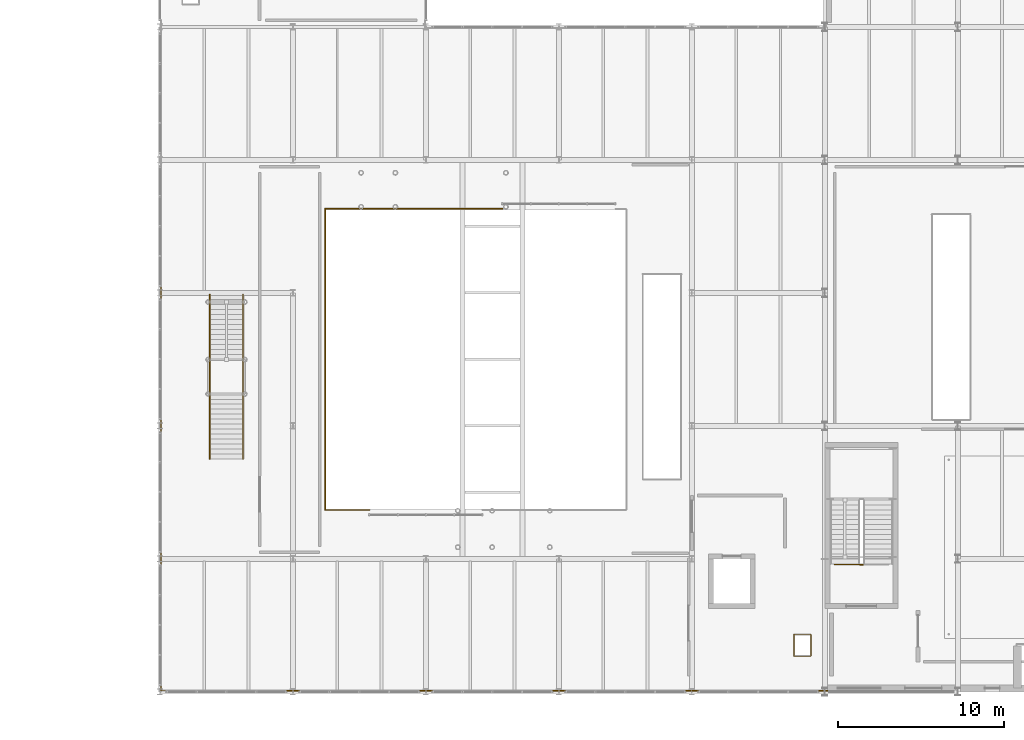
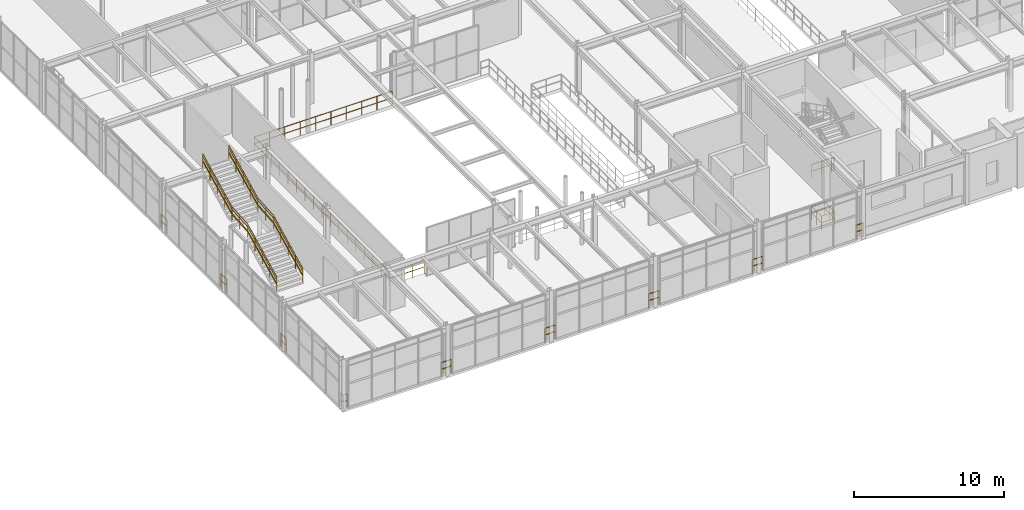
# One storey, part 112 of 122: 18 railings.
"""IFC4 building model written with IfcOpenShell, lengths in metres."""

from ifc_helpers import new_model, si_unit, direction, frame, origin, origin_2d, place, context, subcontext, project, spatial, circle, extrude, material, type_object, element, save


model = new_model("IFC4")

# Units and contexts
model_context = context("Model", 3, precision=1e-05, world=origin(), true_north=direction((0.0, 1.0)))
body_context = subcontext(model_context, "Body", "Model", "MODEL_VIEW")
ifc_project = project(units=[si_unit("LENGTHUNIT", "METRE"), si_unit("AREAUNIT", "SQUARE_METRE"), si_unit("VOLUMEUNIT", "CUBIC_METRE"), si_unit("PLANEANGLEUNIT", "RADIAN"), si_unit("MASSUNIT", "GRAM", prefix="KILO")], contexts=[model_context])

# Site, building, storey
site_placement = place(None, origin())
site = spatial("IfcSite", under=ifc_project, at=site_placement, CompositionType="ELEMENT")
building_placement = place(site_placement, origin())
building = spatial("IfcBuilding", under=site, at=building_placement, Name="Sundkrona Museum", CompositionType="ELEMENT")
storey_placement = place(building_placement, frame((0.0, 0.0, 5.39990234375)))
storey = spatial("IfcBuildingStorey", under=building, at=storey_placement, Name="L01", CompositionType="ELEMENT", Elevation=5.39990234375)

# Railings
ifc_material_1 = material(Name="Painted Steel S355J2 and Laminated Glass Balustrade", Category="steel")
railing_type_1 = type_object("IfcRailingType", Name="RL-GUARD-1100", PredefinedType="BALUSTRADE", material=ifc_material_1)
railing_1_placement = place(storey_placement, frame((122.300048828125, 7.64990234375, 0.0)))
element("IfcRailing", 1, at=railing_1_placement, inside=storey, type_object=railing_type_1, Name="L01 ST-2 stair guard 4", PredefinedType="BALUSTRADE", context=body_context, shape_type="SweptSolid", body=[
    extrude(circle(Radius=0.02392578125, at=origin_2d()), frame((0.0, 0.0, 1.076171875), z_axis=(-1.0, 0.0, 0.0), x_axis=(0.0, -1.0, 0.0)), (0.0, 0.0, 1.0), 0.199951171875),
    extrude(circle(Radius=0.02392578125, at=origin_2d()), frame((0.0, 0.0, 0.550048828125), z_axis=(-1.0, 0.0, 0.0), x_axis=(0.0, -1.0, 0.0)), (0.0, 0.0, 1.0), 0.199951171875),
    extrude(circle(Radius=0.02099609375, at=origin_2d()), origin(), (0.0, 0.0, 1.0), 1.052001953125),
    extrude(circle(Radius=0.02099609375, at=origin_2d()), frame((-0.199951171875, 0.0, 0.0)), (0.0, 0.0, 1.0), 1.052001953125),
])
railing_2_placement = place(storey_placement, frame((83.0, 14.0, 0.150146484375)))
element("IfcRailing", 2, at=railing_2_placement, inside=storey, type_object=railing_type_1, Name="FS-2 Feature Stair Balustrade L", PredefinedType="BALUSTRADE", context=body_context, shape_type="SweptSolid", body=[
    extrude(circle(Radius=0.02392578125, at=origin_2d()), frame((0.0, 0.0, 1.09619140625), z_axis=(0.0, 0.894427191, 0.4472135955), x_axis=(-1.0, 0.0, 0.0)), (0.0, 0.0, 1.0), 4.360107421875),
    extrude(circle(Radius=0.02392578125, at=origin_2d()), frame((0.0, 0.0, 0.56005859375), z_axis=(0.0, 0.894427191, 0.4472135955), x_axis=(-1.0, 0.0, 0.0)), (0.0, 0.0, 1.0), 4.360107421875),
    extrude(circle(Radius=0.02392578125, at=origin_2d()), frame((0.0, 3.89990234375, 3.0458984375), z_axis=(0.0, 0.997462230291, 0.071197606301), x_axis=(-1.0, 0.0, 0.0)), (0.0, 0.0, 1.0), 2.10546875),
    extrude(circle(Radius=0.02392578125, at=origin_2d()), frame((0.0, 3.89990234375, 2.510009765625), z_axis=(0.0, 0.997462230291, 0.071197606301), x_axis=(-1.0, 0.0, 0.0)), (0.0, 0.0, 1.0), 2.10546875),
    extrude(circle(Radius=0.02392578125, at=origin_2d()), frame((0.0, 6.0, 3.19580078125), z_axis=(0.0, 0.894404793364, 0.447258387967), x_axis=(-1.0, 0.0, 0.0)), (0.0, 0.0, 1.0), 4.3603515625),
    extrude(circle(Radius=0.02392578125, at=origin_2d()), frame((0.0, 6.0, 2.659912109375), z_axis=(0.0, 0.894404793364, 0.447258387967), x_axis=(-1.0, 0.0, 0.0)), (0.0, 0.0, 1.0), 4.3603515625),
    extrude(circle(Radius=0.02099609375, at=origin_2d()), origin(), (0.0, 0.0, 1.0), 1.072021484375),
    extrude(circle(Radius=0.02099609375, at=origin_2d()), frame((0.0, 0.97509765625, 0.487548828125)), (0.0, 0.0, 1.0), 1.072021484375),
    extrude(circle(Radius=0.02099609375, at=origin_2d()), frame((0.0, 1.949951171875, 0.97509765625)), (0.0, 0.0, 1.0), 1.072021484375),
    extrude(circle(Radius=0.02099609375, at=origin_2d()), frame((0.0, 2.9248046875, 1.46240234375)), (0.0, 0.0, 1.0), 1.072021484375),
    extrude(circle(Radius=0.02099609375, at=origin_2d()), frame((0.0, 3.89990234375, 1.949951171875)), (0.0, 0.0, 1.0), 1.072021484375),
    extrude(circle(Radius=0.02099609375, at=origin_2d()), frame((0.0, 4.949951171875, 2.02490234375)), (0.0, 0.0, 1.0), 1.072021484375),
    extrude(circle(Radius=0.02099609375, at=origin_2d()), frame((0.0, 6.0, 2.099853515625)), (0.0, 0.0, 1.0), 1.072021484375),
    extrude(circle(Radius=0.02099609375, at=origin_2d()), frame((0.0, 6.97509765625, 2.58740234375)), (0.0, 0.0, 1.0), 1.072021484375),
    extrude(circle(Radius=0.02099609375, at=origin_2d()), frame((0.0, 7.949951171875, 3.074951171875)), (0.0, 0.0, 1.0), 1.072021484375),
    extrude(circle(Radius=0.02099609375, at=origin_2d()), frame((0.0, 8.9248046875, 3.5625)), (0.0, 0.0, 1.0), 1.072021484375),
    extrude(circle(Radius=0.02099609375, at=origin_2d()), frame((0.0, 9.89990234375, 4.050048828125)), (0.0, 0.0, 1.0), 1.072021484375),
])
railing_3_placement = place(storey_placement, frame((85.0, 14.0, 0.150146484375)))
element("IfcRailing", 3, at=railing_3_placement, inside=storey, type_object=railing_type_1, Name="FS-2 Feature Stair Balustrade R", PredefinedType="BALUSTRADE", context=body_context, shape_type="SweptSolid", body=[
    extrude(circle(Radius=0.02392578125, at=origin_2d()), frame((0.0, 0.0, 1.09619140625), z_axis=(0.0, 0.894427191, 0.4472135955), x_axis=(-1.0, 0.0, 0.0)), (0.0, 0.0, 1.0), 4.360107421875),
    extrude(circle(Radius=0.02392578125, at=origin_2d()), frame((0.0, 0.0, 0.56005859375), z_axis=(0.0, 0.894427191, 0.4472135955), x_axis=(-1.0, 0.0, 0.0)), (0.0, 0.0, 1.0), 4.360107421875),
    extrude(circle(Radius=0.02392578125, at=origin_2d()), frame((0.0, 3.89990234375, 3.0458984375), z_axis=(0.0, 0.997462230291, 0.071197606301), x_axis=(-1.0, 0.0, 0.0)), (0.0, 0.0, 1.0), 2.10546875),
    extrude(circle(Radius=0.02392578125, at=origin_2d()), frame((0.0, 3.89990234375, 2.510009765625), z_axis=(0.0, 0.997462230291, 0.071197606301), x_axis=(-1.0, 0.0, 0.0)), (0.0, 0.0, 1.0), 2.10546875),
    extrude(circle(Radius=0.02392578125, at=origin_2d()), frame((0.0, 6.0, 3.19580078125), z_axis=(0.0, 0.894404793364, 0.447258387967), x_axis=(-1.0, 0.0, 0.0)), (0.0, 0.0, 1.0), 4.3603515625),
    extrude(circle(Radius=0.02392578125, at=origin_2d()), frame((0.0, 6.0, 2.659912109375), z_axis=(0.0, 0.894404793364, 0.447258387967), x_axis=(-1.0, 0.0, 0.0)), (0.0, 0.0, 1.0), 4.3603515625),
    extrude(circle(Radius=0.02099609375, at=origin_2d()), origin(), (0.0, 0.0, 1.0), 1.072021484375),
    extrude(circle(Radius=0.02099609375, at=origin_2d()), frame((0.0, 0.97509765625, 0.487548828125)), (0.0, 0.0, 1.0), 1.072021484375),
    extrude(circle(Radius=0.02099609375, at=origin_2d()), frame((0.0, 1.949951171875, 0.97509765625)), (0.0, 0.0, 1.0), 1.072021484375),
    extrude(circle(Radius=0.02099609375, at=origin_2d()), frame((0.0, 2.9248046875, 1.46240234375)), (0.0, 0.0, 1.0), 1.072021484375),
    extrude(circle(Radius=0.02099609375, at=origin_2d()), frame((0.0, 3.89990234375, 1.949951171875)), (0.0, 0.0, 1.0), 1.072021484375),
    extrude(circle(Radius=0.02099609375, at=origin_2d()), frame((0.0, 4.949951171875, 2.02490234375)), (0.0, 0.0, 1.0), 1.072021484375),
    extrude(circle(Radius=0.02099609375, at=origin_2d()), frame((0.0, 6.0, 2.099853515625)), (0.0, 0.0, 1.0), 1.072021484375),
    extrude(circle(Radius=0.02099609375, at=origin_2d()), frame((0.0, 6.97509765625, 2.58740234375)), (0.0, 0.0, 1.0), 1.072021484375),
    extrude(circle(Radius=0.02099609375, at=origin_2d()), frame((0.0, 7.949951171875, 3.074951171875)), (0.0, 0.0, 1.0), 1.072021484375),
    extrude(circle(Radius=0.02099609375, at=origin_2d()), frame((0.0, 8.9248046875, 3.5625)), (0.0, 0.0, 1.0), 1.072021484375),
    extrude(circle(Radius=0.02099609375, at=origin_2d()), frame((0.0, 9.89990234375, 4.050048828125)), (0.0, 0.0, 1.0), 1.072021484375),
])
railing_4_placement = place(storey_placement, frame((80.39990234375, 0.06005859375, 0.0)))
element("IfcRailing", 4, at=railing_4_placement, inside=storey, type_object=railing_type_1, Name="L01 Edge Protection Balustrade 025", PredefinedType="BALUSTRADE", context=body_context, shape_type="SweptSolid", body=[
    extrude(circle(Radius=0.02392578125, at=origin_2d()), frame((0.0, 0.0, 1.09619140625), z_axis=(-1.0, 0.0, 0.0), x_axis=(0.0, -1.0, 0.0)), (0.0, 0.0, 1.0), 0.33984375),
    extrude(circle(Radius=0.02392578125, at=origin_2d()), frame((0.0, 0.0, 0.56005859375), z_axis=(-1.0, 0.0, 0.0), x_axis=(0.0, -1.0, 0.0)), (0.0, 0.0, 1.0), 0.33984375),
    extrude(circle(Radius=0.02392578125, at=origin_2d()), frame((-0.33984375, 0.0, 1.09619140625), z_axis=(0.0, 1.0, 0.0), x_axis=(-1.0, 0.0, 0.0)), (0.0, 0.0, 1.0), 0.33984375),
    extrude(circle(Radius=0.02392578125, at=origin_2d()), frame((-0.33984375, 0.0, 0.56005859375), z_axis=(0.0, 1.0, 0.0), x_axis=(-1.0, 0.0, 0.0)), (0.0, 0.0, 1.0), 0.33984375),
    extrude(circle(Radius=0.02099609375, at=origin_2d()), origin(), (0.0, 0.0, 1.0), 1.072021484375),
    extrude(circle(Radius=0.02099609375, at=origin_2d()), frame((-0.33984375, 0.0, 0.0)), (0.0, 0.0, 1.0), 1.072021484375),
    extrude(circle(Radius=0.02099609375, at=origin_2d()), frame((-0.33984375, 0.33984375, 0.0)), (0.0, 0.0, 1.0), 1.072021484375),
])
for number, where, name in (
    (5, (80.06005859375, 7.60009765625, 0.0), "L01 Edge Protection Balustrade 026"),
    (6, (80.06005859375, 15.60009765625, 0.0), "L01 Edge Protection Balustrade 027"),
    (7, (80.06005859375, 23.60009765625, 0.0), "L01 Edge Protection Balustrade 028"),
):
    element("IfcRailing", number, at=place(storey_placement, frame(where)), inside=storey, type_object=railing_type_1, Name=name, PredefinedType="BALUSTRADE", context=body_context, shape_type="SweptSolid", body=[
        extrude(circle(Radius=0.02392578125, at=origin_2d()), frame((0.0, 0.0, 1.09619140625), z_axis=(0.0, 1.0, 0.0), x_axis=(-1.0, 0.0, 0.0)), (0.0, 0.0, 1.0), 0.7998046875),
        extrude(circle(Radius=0.02392578125, at=origin_2d()), frame((0.0, 0.0, 0.56005859375), z_axis=(0.0, 1.0, 0.0), x_axis=(-1.0, 0.0, 0.0)), (0.0, 0.0, 1.0), 0.7998046875),
        extrude(circle(Radius=0.02099609375, at=origin_2d()), origin(), (0.0, 0.0, 1.0), 1.072021484375),
        extrude(circle(Radius=0.02099609375, at=origin_2d()), frame((0.0, 0.7998046875, 0.0)), (0.0, 0.0, 1.0), 1.072021484375),
    ])
railing_5_placement = place(storey_placement, frame((88.39990234375, 0.06005859375, 0.0)))
element("IfcRailing", 8, at=railing_5_placement, inside=storey, type_object=railing_type_1, Name="L01 Edge Protection Balustrade 036", PredefinedType="BALUSTRADE", context=body_context, shape_type="SweptSolid", body=[
    extrude(circle(Radius=0.02392578125, at=origin_2d()), frame((0.0, 0.0, 1.09619140625), z_axis=(-1.0, 0.0, 0.0), x_axis=(0.0, -1.0, 0.0)), (0.0, 0.0, 1.0), 0.7998046875),
    extrude(circle(Radius=0.02392578125, at=origin_2d()), frame((0.0, 0.0, 0.56005859375), z_axis=(-1.0, 0.0, 0.0), x_axis=(0.0, -1.0, 0.0)), (0.0, 0.0, 1.0), 0.7998046875),
    extrude(circle(Radius=0.02099609375, at=origin_2d()), origin(), (0.0, 0.0, 1.0), 1.072021484375),
    extrude(circle(Radius=0.02099609375, at=origin_2d()), frame((-0.7998046875, 0.0, 0.0)), (0.0, 0.0, 1.0), 1.072021484375),
])
railing_6_placement = place(storey_placement, frame((89.93994140625, 29.06005859375, 0.0)))
element("IfcRailing", 9, at=railing_6_placement, inside=storey, type_object=railing_type_1, Name="L01 Edge Protection Balustrade 037", PredefinedType="BALUSTRADE", context=body_context, shape_type="SweptSolid", body=[
    extrude(circle(Radius=0.02392578125, at=origin_2d()), frame((0.0, 0.0, 1.09619140625), z_axis=(0.0, -1.0, 0.0), x_axis=(1.0, 0.0, 0.0)), (0.0, 0.0, 1.0), 18.1201171875),
    extrude(circle(Radius=0.02392578125, at=origin_2d()), frame((0.0, 0.0, 0.56005859375), z_axis=(0.0, -1.0, 0.0), x_axis=(1.0, 0.0, 0.0)), (0.0, 0.0, 1.0), 18.1201171875),
    extrude(circle(Radius=0.02392578125, at=origin_2d()), frame((0.0, -18.1201171875, 1.09619140625), z_axis=(1.0, 0.0, 0.0), x_axis=(0.0, 1.0, 0.0)), (0.0, 0.0, 1.0), 2.66015625),
    extrude(circle(Radius=0.02392578125, at=origin_2d()), frame((0.0, -18.1201171875, 0.56005859375), z_axis=(1.0, 0.0, 0.0), x_axis=(0.0, 1.0, 0.0)), (0.0, 0.0, 1.0), 2.66015625),
    extrude(circle(Radius=0.02099609375, at=origin_2d()), origin(), (0.0, 0.0, 1.0), 1.072021484375),
    extrude(circle(Radius=0.02099609375, at=origin_2d()), frame((0.0, -1.132568359375, 0.0)), (0.0, 0.0, 1.0), 1.072021484375),
    extrude(circle(Radius=0.02099609375, at=origin_2d()), frame((0.0, -2.26513671875, 0.0)), (0.0, 0.0, 1.0), 1.072021484375),
    extrude(circle(Radius=0.02099609375, at=origin_2d()), frame((0.0, -3.3974609375, 0.0)), (0.0, 0.0, 1.0), 1.072021484375),
    extrude(circle(Radius=0.02099609375, at=origin_2d()), frame((0.0, -4.530029296875, 0.0)), (0.0, 0.0, 1.0), 1.072021484375),
    extrude(circle(Radius=0.02099609375, at=origin_2d()), frame((0.0, -5.66259765625, 0.0)), (0.0, 0.0, 1.0), 1.072021484375),
    extrude(circle(Radius=0.02099609375, at=origin_2d()), frame((0.0, -6.794921875, 0.0)), (0.0, 0.0, 1.0), 1.072021484375),
    extrude(circle(Radius=0.02099609375, at=origin_2d()), frame((0.0, -7.927490234375, 0.0)), (0.0, 0.0, 1.0), 1.072021484375),
    extrude(circle(Radius=0.02099609375, at=origin_2d()), frame((0.0, -9.06005859375, 0.0)), (0.0, 0.0, 1.0), 1.072021484375),
    extrude(circle(Radius=0.02099609375, at=origin_2d()), frame((0.0, -10.192626953125, 0.0)), (0.0, 0.0, 1.0), 1.072021484375),
    extrude(circle(Radius=0.02099609375, at=origin_2d()), frame((0.0, -11.3251953125, 0.0)), (0.0, 0.0, 1.0), 1.072021484375),
    extrude(circle(Radius=0.02099609375, at=origin_2d()), frame((0.0, -12.45751953125, 0.0)), (0.0, 0.0, 1.0), 1.072021484375),
    extrude(circle(Radius=0.02099609375, at=origin_2d()), frame((0.0, -13.590087890625, 0.0)), (0.0, 0.0, 1.0), 1.072021484375),
    extrude(circle(Radius=0.02099609375, at=origin_2d()), frame((0.0, -14.72265625, 0.0)), (0.0, 0.0, 1.0), 1.072021484375),
    extrude(circle(Radius=0.02099609375, at=origin_2d()), frame((0.0, -15.85498046875, 0.0)), (0.0, 0.0, 1.0), 1.072021484375),
    extrude(circle(Radius=0.02099609375, at=origin_2d()), frame((0.0, -16.987548828125, 0.0)), (0.0, 0.0, 1.0), 1.072021484375),
    extrude(circle(Radius=0.02099609375, at=origin_2d()), frame((0.0, -18.1201171875, 0.0)), (0.0, 0.0, 1.0), 1.072021484375),
    extrude(circle(Radius=0.02099609375, at=origin_2d()), frame((0.88671875, -18.1201171875, 0.0)), (0.0, 0.0, 1.0), 1.072021484375),
    extrude(circle(Radius=0.02099609375, at=origin_2d()), frame((1.7734375, -18.1201171875, 0.0)), (0.0, 0.0, 1.0), 1.072021484375),
    extrude(circle(Radius=0.02099609375, at=origin_2d()), frame((2.66015625, -18.1201171875, 0.0)), (0.0, 0.0, 1.0), 1.072021484375),
])
railing_7_placement = place(storey_placement, frame((100.60009765625, 29.06005859375, 0.0)))
element("IfcRailing", 10, at=railing_7_placement, inside=storey, type_object=railing_type_1, Name="L01 Edge Protection Balustrade 038", PredefinedType="BALUSTRADE", context=body_context, shape_type="SweptSolid", body=[
    extrude(circle(Radius=0.02392578125, at=origin_2d()), frame((0.0, 0.0, 1.09619140625), z_axis=(-1.0, 0.0, 0.0), x_axis=(0.0, -1.0, 0.0)), (0.0, 0.0, 1.0), 10.66015625),
    extrude(circle(Radius=0.02392578125, at=origin_2d()), frame((0.0, 0.0, 0.56005859375), z_axis=(-1.0, 0.0, 0.0), x_axis=(0.0, -1.0, 0.0)), (0.0, 0.0, 1.0), 10.66015625),
    extrude(circle(Radius=0.02099609375, at=origin_2d()), origin(), (0.0, 0.0, 1.0), 1.072021484375),
    extrude(circle(Radius=0.02099609375, at=origin_2d()), frame((-1.1845703125, 0.0, 0.0)), (0.0, 0.0, 1.0), 1.072021484375),
    extrude(circle(Radius=0.02099609375, at=origin_2d()), frame((-2.368896484375, 0.0, 0.0)), (0.0, 0.0, 1.0), 1.072021484375),
    extrude(circle(Radius=0.02099609375, at=origin_2d()), frame((-3.553466796875, 0.0, 0.0)), (0.0, 0.0, 1.0), 1.072021484375),
    extrude(circle(Radius=0.02099609375, at=origin_2d()), frame((-4.73779296875, 0.0, 0.0)), (0.0, 0.0, 1.0), 1.072021484375),
    extrude(circle(Radius=0.02099609375, at=origin_2d()), frame((-5.92236328125, 0.0, 0.0)), (0.0, 0.0, 1.0), 1.072021484375),
    extrude(circle(Radius=0.02099609375, at=origin_2d()), frame((-7.106689453125, 0.0, 0.0)), (0.0, 0.0, 1.0), 1.072021484375),
    extrude(circle(Radius=0.02099609375, at=origin_2d()), frame((-8.291259765625, 0.0, 0.0)), (0.0, 0.0, 1.0), 1.072021484375),
    extrude(circle(Radius=0.02099609375, at=origin_2d()), frame((-9.4755859375, 0.0, 0.0)), (0.0, 0.0, 1.0), 1.072021484375),
    extrude(circle(Radius=0.02099609375, at=origin_2d()), frame((-10.66015625, 0.0, 0.0)), (0.0, 0.0, 1.0), 1.072021484375),
])
for number, where, name in (
    (11, (96.39990234375, 0.06005859375, 0.0), "L01 Edge Protection Balustrade 039"),
    (12, (104.39990234375, 0.06005859375, 0.0), "L01 Edge Protection Balustrade 050"),
    (13, (112.39990234375, 0.06005859375, 0.0), "L01 Edge Protection Balustrade 053"),
):
    element("IfcRailing", number, at=place(storey_placement, frame(where)), inside=storey, type_object=railing_type_1, Name=name, PredefinedType="BALUSTRADE", context=body_context, shape_type="SweptSolid", body=[
        extrude(circle(Radius=0.02392578125, at=origin_2d()), frame((0.0, 0.0, 1.09619140625), z_axis=(-1.0, 0.0, 0.0), x_axis=(0.0, -1.0, 0.0)), (0.0, 0.0, 1.0), 0.7998046875),
        extrude(circle(Radius=0.02392578125, at=origin_2d()), frame((0.0, 0.0, 0.56005859375), z_axis=(-1.0, 0.0, 0.0), x_axis=(0.0, -1.0, 0.0)), (0.0, 0.0, 1.0), 0.7998046875),
        extrude(circle(Radius=0.02099609375, at=origin_2d()), origin(), (0.0, 0.0, 1.0), 1.072021484375),
        extrude(circle(Radius=0.02099609375, at=origin_2d()), frame((-0.7998046875, 0.0, 0.0)), (0.0, 0.0, 1.0), 1.072021484375),
    ])
railing_8_placement = place(storey_placement, frame((118.139892578125, 3.4599609375, 0.0)))
element("IfcRailing", 14, at=railing_8_placement, inside=storey, type_object=railing_type_1, Name="L01 Edge Protection Balustrade 056", PredefinedType="BALUSTRADE", context=body_context, shape_type="SweptSolid", body=[
    extrude(circle(Radius=0.02392578125, at=origin_2d()), frame((0.0, 0.0, 1.09619140625), z_axis=(0.0, -1.0, 0.0), x_axis=(1.0, 0.0, 0.0)), (0.0, 0.0, 1.0), 1.320068359375),
    extrude(circle(Radius=0.02392578125, at=origin_2d()), frame((0.0, 0.0, 0.56005859375), z_axis=(0.0, -1.0, 0.0), x_axis=(1.0, 0.0, 0.0)), (0.0, 0.0, 1.0), 1.320068359375),
    extrude(circle(Radius=0.02392578125, at=origin_2d()), frame((0.0, -1.320068359375, 1.09619140625), z_axis=(1.0, 0.0, 0.0), x_axis=(0.0, 1.0, 0.0)), (0.0, 0.0, 1.0), 1.02001953125),
    extrude(circle(Radius=0.02392578125, at=origin_2d()), frame((0.0, -1.320068359375, 0.56005859375), z_axis=(1.0, 0.0, 0.0), x_axis=(0.0, 1.0, 0.0)), (0.0, 0.0, 1.0), 1.02001953125),
    extrude(circle(Radius=0.02392578125, at=origin_2d()), frame((1.02001953125, -1.320068359375, 1.09619140625), z_axis=(0.0, 1.0, 0.0), x_axis=(-1.0, 0.0, 0.0)), (0.0, 0.0, 1.0), 1.320068359375),
    extrude(circle(Radius=0.02392578125, at=origin_2d()), frame((1.02001953125, -1.320068359375, 0.56005859375), z_axis=(0.0, 1.0, 0.0), x_axis=(-1.0, 0.0, 0.0)), (0.0, 0.0, 1.0), 1.320068359375),
    extrude(circle(Radius=0.02392578125, at=origin_2d()), frame((1.02001953125, 0.0, 1.09619140625), z_axis=(-1.0, 0.0, 0.0), x_axis=(0.0, -1.0, 0.0)), (0.0, 0.0, 1.0), 1.02001953125),
    extrude(circle(Radius=0.02392578125, at=origin_2d()), frame((1.02001953125, 0.0, 0.56005859375), z_axis=(-1.0, 0.0, 0.0), x_axis=(0.0, -1.0, 0.0)), (0.0, 0.0, 1.0), 1.02001953125),
    extrude(circle(Radius=0.02099609375, at=origin_2d()), origin(), (0.0, 0.0, 1.0), 1.072021484375),
    extrude(circle(Radius=0.02099609375, at=origin_2d()), frame((0.0, -0.66015625, 0.0)), (0.0, 0.0, 1.0), 1.072021484375),
    extrude(circle(Radius=0.02099609375, at=origin_2d()), frame((0.0, -1.320068359375, 0.0)), (0.0, 0.0, 1.0), 1.072021484375),
    extrude(circle(Radius=0.02099609375, at=origin_2d()), frame((1.02001953125, -1.320068359375, 0.0)), (0.0, 0.0, 1.0), 1.072021484375),
    extrude(circle(Radius=0.02099609375, at=origin_2d()), frame((1.02001953125, -0.66015625, 0.0)), (0.0, 0.0, 1.0), 1.072021484375),
    extrude(circle(Radius=0.02099609375, at=origin_2d()), frame((1.02001953125, 0.0, 0.0)), (0.0, 0.0, 1.0), 1.072021484375),
])
railing_9_placement = place(storey_placement, frame((120.152099609375, 0.06005859375, 0.0)))
element("IfcRailing", 15, at=railing_9_placement, inside=storey, type_object=railing_type_1, Name="L01 Edge Protection Balustrade 057", PredefinedType="BALUSTRADE", context=body_context, shape_type="SweptSolid", body=[
    extrude(circle(Radius=0.02392578125, at=origin_2d()), frame((0.0, 0.0, 1.09619140625), z_axis=(-1.0, 0.0, 0.0), x_axis=(0.0, -1.0, 0.0)), (0.0, 0.0, 1.0), 0.552001953125),
    extrude(circle(Radius=0.02392578125, at=origin_2d()), frame((0.0, 0.0, 0.56005859375), z_axis=(-1.0, 0.0, 0.0), x_axis=(0.0, -1.0, 0.0)), (0.0, 0.0, 1.0), 0.552001953125),
    extrude(circle(Radius=0.02099609375, at=origin_2d()), origin(), (0.0, 0.0, 1.0), 1.072021484375),
    extrude(circle(Radius=0.02099609375, at=origin_2d()), frame((-0.552001953125, 0.0, 0.0)), (0.0, 0.0, 1.0), 1.072021484375),
])
railing_10_placement = place(storey_placement, frame((120.580078125, 7.6650390625, 0.0)))
element("IfcRailing", 16, at=railing_10_placement, inside=storey, type_object=railing_type_1, Name="L01 Edge Protection Balustrade 059", PredefinedType="BALUSTRADE", context=body_context, shape_type="SweptSolid", body=[
    extrude(circle(Radius=0.02392578125, at=origin_2d()), frame((0.0, 0.0, 1.09619140625), z_axis=(1.0, 0.0, 0.0), x_axis=(0.0, 1.0, 0.0)), (0.0, 0.0, 1.0), 1.52001953125),
    extrude(circle(Radius=0.02392578125, at=origin_2d()), frame((0.0, 0.0, 0.56005859375), z_axis=(1.0, 0.0, 0.0), x_axis=(0.0, 1.0, 0.0)), (0.0, 0.0, 1.0), 1.52001953125),
    extrude(circle(Radius=0.02099609375, at=origin_2d()), origin(), (0.0, 0.0, 1.0), 1.072021484375),
    extrude(circle(Radius=0.02099609375, at=origin_2d()), frame((0.760009765625, 0.0, 0.0)), (0.0, 0.0, 1.0), 1.072021484375),
    extrude(circle(Radius=0.02099609375, at=origin_2d()), frame((1.52001953125, 0.0, 0.0)), (0.0, 0.0, 1.0), 1.072021484375),
])
ifc_material_2 = material(Name="Brushed Bronze-Clad Steel Handrail", Category="steel")
railing_type_2 = type_object("IfcRailingType", Name="RL-HAND-900", PredefinedType="HANDRAIL", material=ifc_material_2)
railing_11_placement = place(storey_placement, frame((83.0, 14.0, 0.150146484375)))
element("IfcRailing", 17, at=railing_11_placement, inside=storey, type_object=railing_type_2, Name="FS-2 Feature Stair Handrail L", PredefinedType="HANDRAIL", context=body_context, shape_type="SweptSolid", body=[
    extrude(circle(Radius=0.02392578125, at=origin_2d()), frame((0.0, 0.0, 0.8759765625), z_axis=(0.0, 0.894427191, 0.4472135955), x_axis=(-1.0, 0.0, 0.0)), (0.0, 0.0, 1.0), 4.360107421875),
    extrude(circle(Radius=0.02392578125, at=origin_2d()), frame((0.0, 0.0, 0.449951171875), z_axis=(0.0, 0.894427191, 0.4472135955), x_axis=(-1.0, 0.0, 0.0)), (0.0, 0.0, 1.0), 4.360107421875),
    extrude(circle(Radius=0.02392578125, at=origin_2d()), frame((0.0, 3.89990234375, 2.82568359375), z_axis=(0.0, 0.997462230291, 0.071197606301), x_axis=(-1.0, 0.0, 0.0)), (0.0, 0.0, 1.0), 2.10546875),
    extrude(circle(Radius=0.02392578125, at=origin_2d()), frame((0.0, 3.89990234375, 2.39990234375), z_axis=(0.0, 0.997462230291, 0.071197606301), x_axis=(-1.0, 0.0, 0.0)), (0.0, 0.0, 1.0), 2.10546875),
    extrude(circle(Radius=0.02392578125, at=origin_2d()), frame((0.0, 6.0, 2.9755859375), z_axis=(0.0, 0.894404793364, 0.447258387967), x_axis=(-1.0, 0.0, 0.0)), (0.0, 0.0, 1.0), 4.3603515625),
    extrude(circle(Radius=0.02392578125, at=origin_2d()), frame((0.0, 6.0, 2.5498046875), z_axis=(0.0, 0.894404793364, 0.447258387967), x_axis=(-1.0, 0.0, 0.0)), (0.0, 0.0, 1.0), 4.3603515625),
    extrude(circle(Radius=0.02099609375, at=origin_2d()), origin(), (0.0, 0.0, 1.0), 0.851806640625),
    extrude(circle(Radius=0.02099609375, at=origin_2d()), frame((0.0, 0.97509765625, 0.487548828125)), (0.0, 0.0, 1.0), 0.851806640625),
    extrude(circle(Radius=0.02099609375, at=origin_2d()), frame((0.0, 1.949951171875, 0.97509765625)), (0.0, 0.0, 1.0), 0.851806640625),
    extrude(circle(Radius=0.02099609375, at=origin_2d()), frame((0.0, 2.9248046875, 1.46240234375)), (0.0, 0.0, 1.0), 0.851806640625),
    extrude(circle(Radius=0.02099609375, at=origin_2d()), frame((0.0, 3.89990234375, 1.949951171875)), (0.0, 0.0, 1.0), 0.851806640625),
    extrude(circle(Radius=0.02099609375, at=origin_2d()), frame((0.0, 4.949951171875, 2.02490234375)), (0.0, 0.0, 1.0), 0.851806640625),
    extrude(circle(Radius=0.02099609375, at=origin_2d()), frame((0.0, 6.0, 2.099853515625)), (0.0, 0.0, 1.0), 0.851806640625),
    extrude(circle(Radius=0.02099609375, at=origin_2d()), frame((0.0, 6.97509765625, 2.58740234375)), (0.0, 0.0, 1.0), 0.851806640625),
    extrude(circle(Radius=0.02099609375, at=origin_2d()), frame((0.0, 7.949951171875, 3.074951171875)), (0.0, 0.0, 1.0), 0.851806640625),
    extrude(circle(Radius=0.02099609375, at=origin_2d()), frame((0.0, 8.9248046875, 3.5625)), (0.0, 0.0, 1.0), 0.851806640625),
    extrude(circle(Radius=0.02099609375, at=origin_2d()), frame((0.0, 9.89990234375, 4.050048828125)), (0.0, 0.0, 1.0), 0.851806640625),
])
railing_12_placement = place(storey_placement, frame((85.0, 14.0, 0.150146484375)))
element("IfcRailing", 18, at=railing_12_placement, inside=storey, type_object=railing_type_2, Name="FS-2 Feature Stair Handrail R", PredefinedType="HANDRAIL", context=body_context, shape_type="SweptSolid", body=[
    extrude(circle(Radius=0.02392578125, at=origin_2d()), frame((0.0, 0.0, 0.8759765625), z_axis=(0.0, 0.894427191, 0.4472135955), x_axis=(-1.0, 0.0, 0.0)), (0.0, 0.0, 1.0), 4.360107421875),
    extrude(circle(Radius=0.02392578125, at=origin_2d()), frame((0.0, 0.0, 0.449951171875), z_axis=(0.0, 0.894427191, 0.4472135955), x_axis=(-1.0, 0.0, 0.0)), (0.0, 0.0, 1.0), 4.360107421875),
    extrude(circle(Radius=0.02392578125, at=origin_2d()), frame((0.0, 3.89990234375, 2.82568359375), z_axis=(0.0, 0.997462230291, 0.071197606301), x_axis=(-1.0, 0.0, 0.0)), (0.0, 0.0, 1.0), 2.10546875),
    extrude(circle(Radius=0.02392578125, at=origin_2d()), frame((0.0, 3.89990234375, 2.39990234375), z_axis=(0.0, 0.997462230291, 0.071197606301), x_axis=(-1.0, 0.0, 0.0)), (0.0, 0.0, 1.0), 2.10546875),
    extrude(circle(Radius=0.02392578125, at=origin_2d()), frame((0.0, 6.0, 2.9755859375), z_axis=(0.0, 0.894404793364, 0.447258387967), x_axis=(-1.0, 0.0, 0.0)), (0.0, 0.0, 1.0), 4.3603515625),
    extrude(circle(Radius=0.02392578125, at=origin_2d()), frame((0.0, 6.0, 2.5498046875), z_axis=(0.0, 0.894404793364, 0.447258387967), x_axis=(-1.0, 0.0, 0.0)), (0.0, 0.0, 1.0), 4.3603515625),
    extrude(circle(Radius=0.02099609375, at=origin_2d()), origin(), (0.0, 0.0, 1.0), 0.851806640625),
    extrude(circle(Radius=0.02099609375, at=origin_2d()), frame((0.0, 0.97509765625, 0.487548828125)), (0.0, 0.0, 1.0), 0.851806640625),
    extrude(circle(Radius=0.02099609375, at=origin_2d()), frame((0.0, 1.949951171875, 0.97509765625)), (0.0, 0.0, 1.0), 0.851806640625),
    extrude(circle(Radius=0.02099609375, at=origin_2d()), frame((0.0, 2.9248046875, 1.46240234375)), (0.0, 0.0, 1.0), 0.851806640625),
    extrude(circle(Radius=0.02099609375, at=origin_2d()), frame((0.0, 3.89990234375, 1.949951171875)), (0.0, 0.0, 1.0), 0.851806640625),
    extrude(circle(Radius=0.02099609375, at=origin_2d()), frame((0.0, 4.949951171875, 2.02490234375)), (0.0, 0.0, 1.0), 0.851806640625),
    extrude(circle(Radius=0.02099609375, at=origin_2d()), frame((0.0, 6.0, 2.099853515625)), (0.0, 0.0, 1.0), 0.851806640625),
    extrude(circle(Radius=0.02099609375, at=origin_2d()), frame((0.0, 6.97509765625, 2.58740234375)), (0.0, 0.0, 1.0), 0.851806640625),
    extrude(circle(Radius=0.02099609375, at=origin_2d()), frame((0.0, 7.949951171875, 3.074951171875)), (0.0, 0.0, 1.0), 0.851806640625),
    extrude(circle(Radius=0.02099609375, at=origin_2d()), frame((0.0, 8.9248046875, 3.5625)), (0.0, 0.0, 1.0), 0.851806640625),
    extrude(circle(Radius=0.02099609375, at=origin_2d()), frame((0.0, 9.89990234375, 4.050048828125)), (0.0, 0.0, 1.0), 0.851806640625),
])

save(model, "model.ifc")
